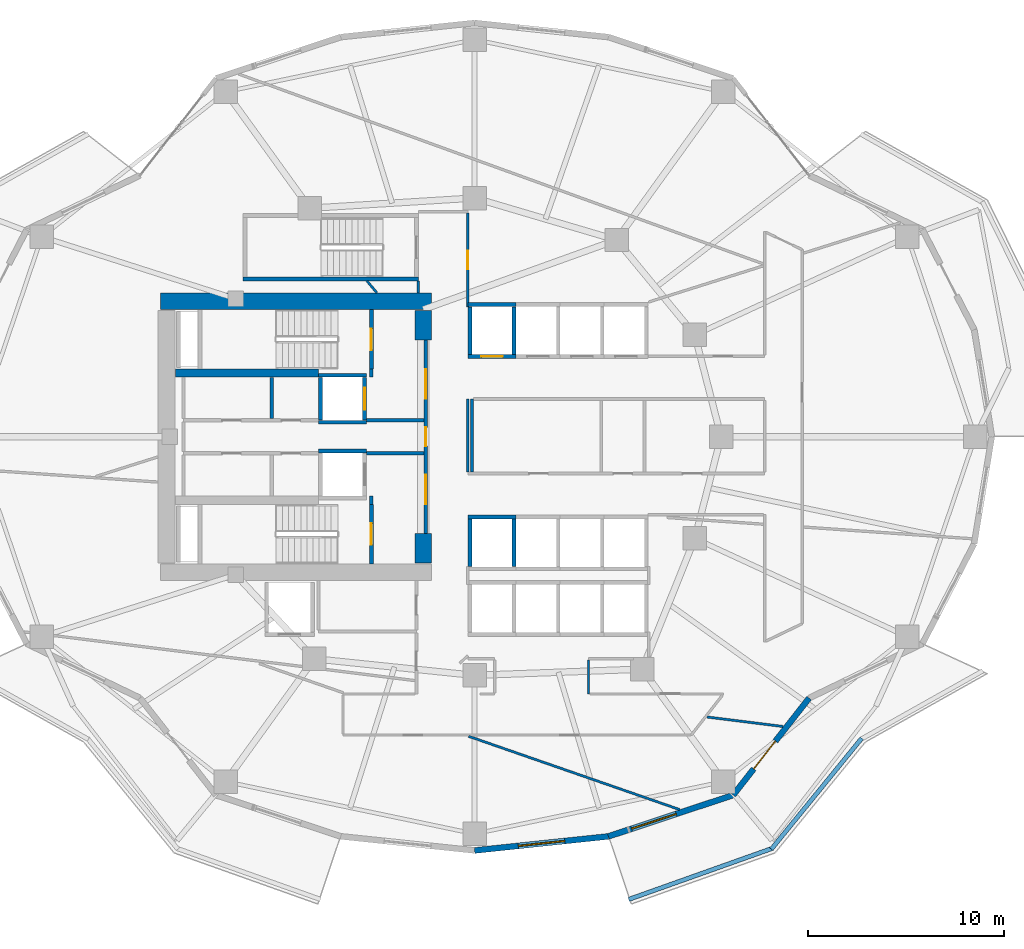
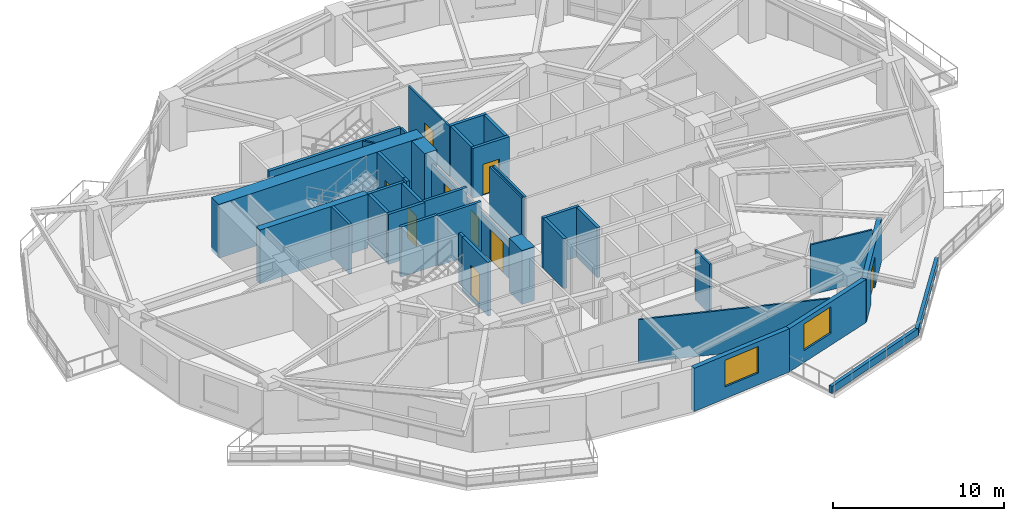
# One storey, part 6 of 12: 38 walls, 9 doors, 2 windows, 11 openings.
"""IFC4 building model written with IfcOpenShell, lengths in metres."""

import ifcopenshell
import ifcopenshell.guid

model = None  # the IFC model being written
_history = None  # IfcOwnerHistory: only IFC2X3 demands one
_inside = {}  # id of a spatial element -> (the spatial element, [elements in it])
_under = {}  # id of a project, library or spatial element -> (it, [spatial elements below it])
_declared = {}  # id of a project -> (the project, [libraries it declares])
_typed = {}  # id of a type object -> (the type object, [elements of that type])
_made_of = {}  # id of a material, layer set ... -> (it, [elements and type objects made of it])


def new_model(schema):
    """Start an empty IFC model of exactly this schema.

    Asked for "IFC4X3", IfcOpenShell would pick the latest addendum, in which some entities
    have other attributes; the version numbers below select the first issue.
    IFC2X3 requires an IfcOwnerHistory on every rooted entity: one is made here for all.
    """
    global model, _history
    if schema == "IFC4X3":
        model = ifcopenshell.file(schema_version=(4, 3, 0, 0))
    else:
        model = ifcopenshell.file(schema=schema)
    _inside.clear()
    _under.clear()
    _declared.clear()
    _typed.clear()
    _made_of.clear()
    _history = None
    if model.schema == "IFC2X3":
        org = make("IfcOrganization", Name="unknown")
        user = make(
            "IfcPersonAndOrganization",
            ThePerson=make("IfcPerson", FamilyName="unknown"),
            TheOrganization=org,
        )
        app = make(
            "IfcApplication",
            ApplicationDeveloper=org,
            Version="unknown",
            ApplicationFullName="unknown",
            ApplicationIdentifier="unknown",
        )
        _history = make(
            "IfcOwnerHistory",
            OwningUser=user,
            OwningApplication=app,
            ChangeAction="ADDED",
            CreationDate=0,
        )
    return model


def make(cls, **values):
    """One entity of the class cls with the attributes given. An attribute that is None is left unset."""
    return model.create_entity(
        cls, **{name: value for name, value in values.items() if value is not None}
    )


def rooted(cls, **values):
    """An entity with a GlobalId (a new one), such as an element, a storey or a relation."""
    return make(cls, GlobalId=ifcopenshell.guid.new(), OwnerHistory=_history, **values)


def si_unit(unit_type, name, prefix=None):
    """IfcSIUnit, for example si_unit("LENGTHUNIT", "METRE", prefix="MILLI")."""
    return make("IfcSIUnit", UnitType=unit_type, Prefix=prefix, Name=name)


def assignment(units):
    """IfcUnitAssignment: the units of a project."""
    return None if units is None else make("IfcUnitAssignment", Units=units)


def point(xyz):
    """IfcCartesianPoint."""
    return None if xyz is None else make("IfcCartesianPoint", Coordinates=xyz)


def direction(xyz):
    """IfcDirection."""
    return None if xyz is None else make("IfcDirection", DirectionRatios=xyz)


def frame(location, z_axis=None, x_axis=None):
    """IfcAxis2Placement3D, a coordinate frame: its origin and axes. An axis left out is left unset."""
    return make(
        "IfcAxis2Placement3D",
        Location=point(location),
        Axis=direction(z_axis),
        RefDirection=direction(x_axis),
    )


def frame_2d(location, x_axis=None):
    """IfcAxis2Placement2D, a coordinate frame in the plane: its origin and x axis."""
    return make(
        "IfcAxis2Placement2D", Location=point(location), RefDirection=direction(x_axis)
    )


def origin():
    """The frame at (0, 0, 0) with its axes left unset."""
    return frame((0.0, 0.0, 0.0))


def place(relative_to, where):
    """IfcLocalPlacement: puts the frame where relative to a parent placement (None: the world)."""
    return make(
        "IfcLocalPlacement", PlacementRelTo=relative_to, RelativePlacement=where
    )


def context(
    kind, dimensions, precision=None, world=None, true_north=None, identifier=None
):
    """IfcGeometricRepresentationContext, for example the 3D "Model" context."""
    return make(
        "IfcGeometricRepresentationContext",
        ContextIdentifier=identifier,
        ContextType=kind,
        CoordinateSpaceDimension=dimensions,
        Precision=precision,
        WorldCoordinateSystem=world,
        TrueNorth=true_north,
    )


def subcontext(parent, identifier, kind, view, scale=None):
    """IfcGeometricRepresentationSubContext, for example "Body" below "Model"."""
    return make(
        "IfcGeometricRepresentationSubContext",
        ContextIdentifier=identifier,
        ContextType=kind,
        ParentContext=parent,
        TargetScale=scale,
        TargetView=view,
    )


def project(units=None, contexts=None):
    """IfcProject with its units and contexts."""
    return rooted(
        "IfcProject",
        Name="project",
        RepresentationContexts=contexts,
        UnitsInContext=assignment(units),
    )


def spatial(cls, under=None, at=None, **own):
    """A site, building, storey or space (cls), placed at a placement, below another one or the project."""
    s = rooted(cls, ObjectPlacement=at, **own)
    if under is not None:
        _under.setdefault(under.id(), (under, []))[1].append(s)
    return s


def profile(cls, at=None, kind="AREA", **sizes):
    """A parametric profile (cls). Its sizes go by their IFC names, for example OverallWidth=200.0."""
    return make(cls, ProfileType=kind, Position=at, **sizes)


def rectangle(**sizes):
    """IfcRectangleProfileDef."""
    return profile("IfcRectangleProfileDef", **sizes)


def extrude(swept, where, along, depth):
    """IfcExtrudedAreaSolid: the profile swept, set in the frame where, extruded along a direction by depth."""
    return make(
        "IfcExtrudedAreaSolid",
        SweptArea=swept,
        Position=where,
        ExtrudedDirection=direction(along),
        Depth=depth,
    )


def shape(context_of_items, identifier, shape_type, items):
    """IfcShapeRepresentation: the items that make up one representation, for example the "Body"."""
    return make(
        "IfcShapeRepresentation",
        ContextOfItems=context_of_items,
        RepresentationIdentifier=identifier,
        RepresentationType=shape_type,
        Items=items,
    )


def material(Name=None, Category=None):
    """IfcMaterial."""
    return make("IfcMaterial", Name=Name, Category=Category)


def layer(
    of_material, thickness, ventilated=None, Name=None, Category=None, Priority=None
):
    """IfcMaterialLayer: one layer of a wall or slab, of a material (None: an air gap)."""
    return make(
        "IfcMaterialLayer",
        Material=of_material,
        LayerThickness=thickness,
        IsVentilated=ventilated,
        Name=Name,
        Category=Category,
        Priority=Priority,
    )


def layer_set(layers, Name=None):
    """IfcMaterialLayerSet."""
    return make("IfcMaterialLayerSet", MaterialLayers=layers, LayerSetName=Name)


def made_of(thing, what):
    """Note that an element or type object is made of a material, layer set ...; save() writes the relation."""
    if what is not None:
        _made_of.setdefault(what.id(), (what, []))[1].append(thing)
    return thing


def type_object(cls, material=None, **own):
    """A type object (cls), such as IfcWallType, which elements share."""
    return made_of(rooted(cls, **own), material)


def element(
    cls,
    number,
    at=None,
    inside=None,
    cuts=None,
    type_object=None,
    material=None,
    context=None,
    identifier="Body",
    shape_type=None,
    held_by="IfcProductDefinitionShape",
    body=None,
    shapes=None,
    **own,
):
    """One element of the class cls, such as IfcWall. Its Tag is "e" and its number.

    at: its placement. inside: the storey or other place that contains it. cuts: it is an
    opening in that element (IfcRelVoidsElement). A single representation is given by context,
    identifier, shape_type and body (its items); several are given by shapes. held_by: the class
    of the entity that holds the representations. save() writes the other relations.
    """
    e = rooted(cls, Tag="e%d" % number, ObjectPlacement=at, **own)
    if body is not None:
        shapes = [shape(context, identifier, shape_type, body)]
    if shapes is not None:
        e.Representation = make(held_by, Representations=shapes)
    if inside is not None:
        _inside.setdefault(inside.id(), (inside, []))[1].append(e)
    if cuts is not None:
        rooted(
            "IfcRelVoidsElement", RelatingBuildingElement=cuts, RelatedOpeningElement=e
        )
    if type_object is not None:
        _typed.setdefault(type_object.id(), (type_object, []))[1].append(e)
    return made_of(e, material)


def fill(opening, filler):
    """IfcRelFillsElement: the door or window that sits in an opening."""
    return rooted(
        "IfcRelFillsElement",
        RelatingOpeningElement=opening,
        RelatedBuildingElement=filler,
    )


def aggregate(whole, parts):
    """IfcRelAggregates: a whole, such as a stair, and the parts it consists of."""
    return rooted("IfcRelAggregates", RelatingObject=whole, RelatedObjects=parts)


def save(model, path):
    """Write the relations noted so far, then the file.

    IfcRelAggregates (storeys below a building ...), IfcRelContainedInSpatialStructure (elements
    in a storey), IfcRelDefinesByType, IfcRelAssociatesMaterial and IfcRelDeclares: one each for
    every whole, place, type object, material and project.
    """
    for whole, parts in _under.values():
        aggregate(whole, parts)
    for where, things in _inside.values():
        rooted(
            "IfcRelContainedInSpatialStructure",
            RelatedElements=things,
            RelatingStructure=where,
        )
    for kind, things in _typed.values():
        rooted("IfcRelDefinesByType", RelatedObjects=things, RelatingType=kind)
    for what, things in _made_of.values():
        rooted("IfcRelAssociatesMaterial", RelatedObjects=things, RelatingMaterial=what)
    for by, libraries in _declared.values():
        rooted("IfcRelDeclares", RelatingContext=by, RelatedDefinitions=libraries)
    model.write(path)


model = new_model("IFC4")

# Units and contexts
model_context = context("Model", 3, precision=1e-05, world=origin(), true_north=direction((0.0, 1.0)))
body_context = subcontext(model_context, "Body", "Model", "MODEL_VIEW")
ifc_project = project(units=[si_unit("LENGTHUNIT", "METRE"), si_unit("AREAUNIT", "SQUARE_METRE"), si_unit("VOLUMEUNIT", "CUBIC_METRE"), si_unit("PLANEANGLEUNIT", "RADIAN"), si_unit("MASSUNIT", "GRAM", prefix="KILO")], contexts=[model_context])

# Site, building, storey
site_placement = place(None, origin())
site = spatial("IfcSite", under=ifc_project, at=site_placement, CompositionType="ELEMENT")
building_placement = place(site_placement, origin())
building = spatial("IfcBuilding", under=site, at=building_placement, Name="Kolvaren Gate Tower and Convention Centre", CompositionType="ELEMENT")
storey_placement = place(building_placement, frame((0.0, 0.0, 84.25)))
storey = spatial("IfcBuildingStorey", under=building, at=storey_placement, Name="L20", CompositionType="ELEMENT", Elevation=84.25)

# Walls
ifc_material_1 = material(Name="Autoclaved Aerated Masonry Blockwork Class 4 (4.0 MPa)", Category="masonry")
ifc_layer_1 = layer(ifc_material_1, 0.179931640625)
ifc_layer_set_1 = layer_set([ifc_layer_1], Name="Autoclaved Aerated Masonry Blockwork Class 4 (4.0 MPa)")
wall_type_1 = type_object("IfcWallType", Name="ARCH-WL-COMP-180", PredefinedType="SOLIDWALL", material=ifc_layer_set_1)
for number, where, z_axis, x_axis, name in (
    (1, (24.85009765625, 23.5400390625, 0.0), (0.0, 0.0, 1.0), (0.0, 1.0, 0.0), "Interior Partition WL-L20-INT-001"),
    (2, (24.85009765625, 30.0400390625, 0.0), (0.0, 0.0, 1.0), (0.0, 1.0, 0.0), "Interior Partition WL-L20-INT-002"),
):
    element("IfcWall", number, at=place(storey_placement, frame(where, z_axis=z_axis, x_axis=x_axis)), inside=storey, type_object=wall_type_1, Name=name, PredefinedType="SOLIDWALL", context=body_context, shape_type="SweptSolid", body=[
        extrude(rectangle(XDim=0.419921875, YDim=0.179931640625, at=frame_2d((0.2099609375, 0.0))), origin(), (0.0, 0.0, 1.0), 3.570068359375),
    ])

# Wall, openings, doors
wall_1_placement = place(storey_placement, frame((27.6201171875, 22.050048828125, 0.0), z_axis=(0.0, 0.0, 1.0), x_axis=(0.0, 1.0, 0.0)))
wall_1 = element("IfcWall", 3, at=wall_1_placement, inside=storey, type_object=wall_type_1, Name="Interior Partition WL-L20-INT-003", PredefinedType="SOLIDWALL", context=body_context, shape_type="SweptSolid", body=[
    extrude(rectangle(XDim=9.89990234375, YDim=0.179931640625, at=frame_2d((4.949951171875, 0.0))), origin(), (0.0, 0.0, 1.0), 2.662109375),
])
opening_1_placement = place(wall_1_placement, frame((4.47509765625, 0.0, 0.0)))
opening_1 = element("IfcOpeningElement", 4, at=opening_1_placement, cuts=wall_1, Name="Opening DR-01", PredefinedType="OPENING", context=body_context, shape_type="SweptSolid", body=[
    extrude(rectangle(XDim=0.949951171875, YDim=2.10009765625, at=frame_2d((0.47509765625, 1.050048828125))), frame((0.0, 0.099853515625, 0.0), z_axis=(0.0, -1.0, 0.0), x_axis=(1.0, 0.0, 0.0)), (0.0, 0.0, 1.0), 0.199951171875),
])
opening_2_placement = place(wall_1_placement, frame((6.889892578125, 0.0, 0.0)))
opening_2 = element("IfcOpeningElement", 5, at=opening_2_placement, cuts=wall_1, Name="Opening DL-01", PredefinedType="OPENING", context=body_context, shape_type="SweptSolid", body=[
    extrude(rectangle(XDim=1.5, YDim=2.199951171875, at=frame_2d((0.75, 1.10009765625))), frame((0.0, 0.099853515625, 0.0), z_axis=(0.0, -1.0, 0.0), x_axis=(1.0, 0.0, 0.0)), (0.0, 0.0, 1.0), 0.199951171875),
])
opening_3_placement = place(wall_1_placement, frame((1.510009765625, 0.0, 0.0)))
opening_3 = element("IfcOpeningElement", 6, at=opening_3_placement, cuts=wall_1, Name="Opening DL-01", PredefinedType="OPENING", context=body_context, shape_type="SweptSolid", body=[
    extrude(rectangle(XDim=1.5, YDim=2.199951171875, at=frame_2d((0.75, 1.10009765625))), frame((0.0, 0.099853515625, 0.0), z_axis=(0.0, -1.0, 0.0), x_axis=(1.0, 0.0, 0.0)), (0.0, 0.0, 1.0), 0.199951171875),
])
ifc_material_2 = material(Name="Painted Architectural Steelwork ASTM A500 Grade C 345 MPa", Category="steel")
door_type_1 = type_object("IfcDoorType", Name="ARCH-DR-LOBBY-1500", OperationType="DOUBLE_DOOR_SINGLE_SWING", PredefinedType="DOOR", material=ifc_material_2)
door_1_placement = place(opening_2_placement, origin())
door_1 = element("IfcDoor", 7, at=door_1_placement, inside=storey, type_object=door_type_1, Name="North Firefighting Stair and Lift Lobby Door", OperationType="DOUBLE_DOOR_SINGLE_SWING", OverallHeight=2.199951171875, OverallWidth=1.5, PredefinedType="DOOR", context=body_context, shape_type="SweptSolid", body=[
    extrude(rectangle(XDim=1.5, YDim=2.199951171875, at=frame_2d((0.75, 1.10009765625))), frame((0.0, 0.02490234375, 0.0), z_axis=(0.0, -1.0, 0.0), x_axis=(1.0, 0.0, 0.0)), (0.0, 0.0, 1.0), 0.050048828125),
])
fill(opening_2, door_1)
door_2_placement = place(opening_3_placement, origin())
door_2 = element("IfcDoor", 8, at=door_2_placement, inside=storey, type_object=door_type_1, Name="South Firefighting Stair and Lift Lobby Door", OperationType="DOUBLE_DOOR_SINGLE_SWING", OverallHeight=2.199951171875, OverallWidth=1.5, PredefinedType="DOOR", context=body_context, shape_type="SweptSolid", body=[
    extrude(rectangle(XDim=1.5, YDim=2.199951171875, at=frame_2d((0.75, 1.10009765625))), frame((0.0, 0.02490234375, 0.0), z_axis=(0.0, -1.0, 0.0), x_axis=(1.0, 0.0, 0.0)), (0.0, 0.0, 1.0), 0.050048828125),
])
fill(opening_3, door_2)
door_type_2 = type_object("IfcDoorType", Name="ARCH-DR-RISER-950", OperationType="SINGLE_SWING_RIGHT", PredefinedType="DOOR", material=ifc_material_2)
door_3_placement = place(opening_1_placement, origin())
door_3 = element("IfcDoor", 9, at=door_3_placement, inside=storey, type_object=door_type_2, Name="Central MEP Service Corridor Door", OperationType="SINGLE_SWING_RIGHT", OverallHeight=2.10009765625, OverallWidth=0.949951171875, PredefinedType="DOOR", context=body_context, shape_type="SweptSolid", body=[
    extrude(rectangle(XDim=0.949951171875, YDim=2.10009765625, at=frame_2d((0.47509765625, 1.050048828125))), frame((0.0, 0.02490234375, 0.0), z_axis=(0.0, -1.0, 0.0), x_axis=(1.0, 0.0, 0.0)), (0.0, 0.0, 1.0), 0.050048828125),
])
fill(opening_1, door_3)

# Walls
for number, where, z_axis, x_axis, name in (
    (10, (24.60009765625, 27.840087890625, 0.0), (0.0, 0.0, 1.0), (1.0, 0.0, 0.0), "Interior Partition WL-L20-INT-004 (2)"),
    (11, (24.60009765625, 26.159912109375, 0.0), (0.0, 0.0, 1.0), (1.0, 0.0, 0.0), "Interior Partition WL-L20-INT-005 (2)"),
):
    element("IfcWall", number, at=place(storey_placement, frame(where, z_axis=z_axis, x_axis=x_axis)), inside=storey, type_object=wall_type_1, Name=name, PredefinedType="SOLIDWALL", context=body_context, shape_type="SweptSolid", body=[
        extrude(rectangle(XDim=2.927978515625, YDim=0.179931640625, at=frame_2d((1.4638671875, 0.0))), origin(), (0.0, 0.0, 1.0), 3.570068359375),
    ])
wall_2_placement = place(storey_placement, frame((19.75, 27.931884765625, 0.0), z_axis=(0.0, 0.0, 1.0), x_axis=(0.0, 1.0, 0.0)))
element("IfcWall", 12, at=wall_2_placement, inside=storey, type_object=wall_type_1, Name="Interior Partition WL-L20-INT-008", PredefinedType="SOLIDWALL", context=body_context, shape_type="SweptSolid", body=[
    extrude(rectangle(XDim=2.106201171875, YDim=0.179931640625, at=frame_2d((1.05322265625, 0.0))), origin(), (0.0, 0.0, 1.0), 3.570068359375),
])
ifc_material_3 = material(Name="Fire-Rated Acoustic Gypsum Stud Partition", Category="gypsum")
ifc_layer_2 = layer(ifc_material_3, 0.1201171875)
ifc_layer_set_2 = layer_set([ifc_layer_2], Name="Fire-Rated Acoustic Gypsum Stud Partition")
wall_type_2 = type_object("IfcWallType", Name="ARCH-WL-PART-120", PredefinedType="PARTITIONING", material=ifc_layer_set_2)
wall_3_placement = place(storey_placement, frame((35.949951171875, 13.85009765625, 0.0), z_axis=(0.0, 0.0, 1.0), x_axis=(0.0, 1.0, 0.0)))
element("IfcWall", 13, at=wall_3_placement, inside=storey, type_object=wall_type_2, Name="Interior Partition WL-L20-INT-019", PredefinedType="PARTITIONING", context=body_context, shape_type="SweptSolid", body=[
    extrude(rectangle(XDim=1.73779296875, YDim=0.1201171875, at=frame_2d((0.868896484375, 0.0))), origin(), (0.0, 0.0, 1.0), 3.570068359375),
])
wall_4_placement = place(storey_placement, frame((27.25, 34.35205078125, 0.0), z_axis=(0.0, 0.0, 1.0), x_axis=(0.0, 1.0, 0.0)))
element("IfcWall", 14, at=wall_4_placement, inside=storey, type_object=wall_type_2, Name="Interior Partition WL-L20-INT-026", PredefinedType="PARTITIONING", context=body_context, shape_type="SweptSolid", body=[
    extrude(rectangle(XDim=0.60595703125, YDim=0.1201171875, at=frame_2d((0.302978515625, 0.0))), origin(), (0.0, 0.0, 1.0), 3.570068359375),
])
wall_5_placement = place(storey_placement, frame((29.780029296875, 25.197021484375, 0.0), z_axis=(0.0, 0.0, 1.0), x_axis=(0.0, 1.0, 0.0)))
element("IfcWall", 15, at=wall_5_placement, inside=storey, type_object=wall_type_2, Name="Interior Partition WL-L20-INT-029", PredefinedType="PARTITIONING", context=body_context, shape_type="SweptSolid", body=[
    extrude(rectangle(XDim=3.722900390625, YDim=0.1201171875, at=frame_2d((1.861328125, 0.0))), origin(), (0.0, 0.0, 1.0), 3.570068359375),
])

# Wall, opening, door
wall_6_placement = place(storey_placement, frame((29.780029296875, 33.639892578125, 0.0), z_axis=(0.0, 0.0, 1.0), x_axis=(0.0, 1.0, 0.0)))
wall_6 = element("IfcWall", 16, at=wall_6_placement, inside=storey, type_object=wall_type_2, Name="Interior Partition WL-L20-INT-030", PredefinedType="PARTITIONING", context=body_context, shape_type="SweptSolid", body=[
    extrude(rectangle(XDim=4.798095703125, YDim=0.1201171875, at=frame_2d((2.39892578125, 0.0))), origin(), (0.0, 0.0, 1.0), 3.570068359375),
])
opening_4_placement = place(wall_6_placement, frame((1.924072265625, 0.0, 0.0)))
opening_4 = element("IfcOpeningElement", 17, at=opening_4_placement, cuts=wall_6, Name="Opening DR-01", PredefinedType="OPENING", context=body_context, shape_type="SweptSolid", body=[
    extrude(rectangle(XDim=0.949951171875, YDim=2.10009765625, at=frame_2d((0.47509765625, 1.050048828125))), frame((0.0, 0.070068359375, 0.0), z_axis=(0.0, -1.0, 0.0), x_axis=(1.0, 0.0, 0.0)), (0.0, 0.0, 1.0), 0.14013671875),
])
door_4_placement = place(opening_4_placement, origin())
door_4 = element("IfcDoor", 18, at=door_4_placement, inside=storey, type_object=door_type_2, Name="Open-Plan Office Suite Door", OperationType="SINGLE_SWING_RIGHT", OverallHeight=2.10009765625, OverallWidth=0.949951171875, PredefinedType="DOOR", context=body_context, shape_type="SweptSolid", body=[
    extrude(rectangle(XDim=0.949951171875, YDim=2.10009765625, at=frame_2d((0.47509765625, 1.050048828125))), frame((0.0, 0.02490234375, 0.0), z_axis=(0.0, -1.0, 0.0), x_axis=(1.0, 0.0, 0.0)), (0.0, 0.0, 1.0), 0.050048828125),
])
fill(opening_4, door_4)

# Walls
wall_7_placement = place(storey_placement, frame((41.999755859375, 12.673583984375, 0.0), z_axis=(0.0, 0.0, 1.0), x_axis=(0.992316110302, -0.123728481908, 0.0)))
element("IfcWall", 19, at=wall_7_placement, inside=storey, type_object=wall_type_2, Name="Interior Partition WL-L20-INT-046", PredefinedType="PARTITIONING", context=body_context, shape_type="SweptSolid", body=[
    extrude(rectangle(XDim=3.9248046875, YDim=0.1201171875, at=frame_2d((1.96240234375, 0.0))), origin(), (0.0, 0.0, 1.0), 3.570068359375),
])
wall_8_placement = place(storey_placement, frame((29.818115234375, 11.68798828125, 0.0), z_axis=(0.0, 0.0, 1.0), x_axis=(0.944668147769, -0.328027575961, 0.0)))
element("IfcWall", 20, at=wall_8_placement, inside=storey, type_object=wall_type_2, Name="Interior Partition WL-L20-INT-048", PredefinedType="PARTITIONING", context=body_context, shape_type="SweptSolid", body=[
    extrude(rectangle(XDim=11.42822265625, YDim=0.1201171875, at=frame_2d((5.714111328125, 0.0))), origin(), (0.0, 0.0, 1.0), 3.093017578125),
])
wall_9_placement = place(storey_placement, frame((24.625732421875, 34.9580078125, 0.0), z_axis=(0.0, 0.0, 1.0), x_axis=(0.643032873298, -0.765838575588, 0.0)))
element("IfcWall", 21, at=wall_9_placement, inside=storey, type_object=wall_type_2, Name="Interior Partition WL-L20-INT-053", PredefinedType="PARTITIONING", context=body_context, shape_type="SweptSolid", body=[
    extrude(rectangle(XDim=0.791259765625, YDim=0.1201171875, at=frame_2d((0.3955078125, 0.0))), origin(), (0.0, 0.0, 1.0), 3.570068359375),
])
ifc_material_4 = material(Name="Piedmont Cream Honed Limestone Cladding", Category="masonry")
ifc_layer_3 = layer(ifc_material_4, 0.219970703125)
ifc_layer_set_3 = layer_set([ifc_layer_3], Name="Piedmont Cream Honed Limestone Cladding")
wall_type_3 = type_object("IfcWallType", Name="ARCH-WL-PLANTER-220", PredefinedType="PARAPET", material=ifc_layer_set_3)
wall_10_placement = place(storey_placement, frame((38.001220703125, 3.348876953125, 0.0), z_axis=(0.0, 0.0, 1.0), x_axis=(0.942203722205, 0.335040513764, 0.0)))
element("IfcWall", 22, at=wall_10_placement, inside=storey, type_object=wall_type_3, Name="Vertical-Forest Balcony Stone Planter Kerb PK-L20-4.1", PredefinedType="PARAPET", context=body_context, shape_type="SweptSolid", body=[
    extrude(rectangle(XDim=7.80712890625, YDim=0.219970703125, at=frame_2d((3.903564453125, 0.0))), origin(), (0.0, 0.0, 1.0), 0.52001953125),
])
wall_11_placement = place(storey_placement, frame((45.2919921875, 5.91796875, 0.0), z_axis=(0.0, 0.0, 1.0), x_axis=(0.631819273026, 0.775115737315, 0.0)))
element("IfcWall", 23, at=wall_11_placement, inside=storey, type_object=wall_type_3, Name="Vertical-Forest Balcony Stone Planter Kerb PK-L20-4.2", PredefinedType="PARAPET", context=body_context, shape_type="SweptSolid", body=[
    extrude(rectangle(XDim=7.31591796875, YDim=0.219970703125, at=frame_2d((3.657958984375, 0.0))), origin(), (0.0, 0.0, 1.0), 0.52001953125),
])
ifc_layer_4 = layer(ifc_material_1, 0.199951171875)
ifc_layer_set_4 = layer_set([ifc_layer_4], Name="Autoclaved Aerated Masonry Blockwork Class 4 (4.0 MPa)")
wall_type_4 = type_object("IfcWallType", Name="ARCH-WL-SHAFT-200", PredefinedType="SOLIDWALL", material=ifc_layer_set_4)
for number, where, z_axis, x_axis, name in (
    (24, (22.14990234375, 30.139892578125, 0.0), (0.0, 0.0, 1.0), (1.0, 0.0, 0.0), "Elevator FF-01 L20 Fire Shaft Wall N"),
    (25, (22.14990234375, 27.739990234375, 0.0), (0.0, 0.0, 1.0), (1.0, 0.0, 0.0), "Elevator FF-01 L20 Fire Shaft Wall S"),
):
    element("IfcWall", number, at=place(storey_placement, frame(where, z_axis=z_axis, x_axis=x_axis)), inside=storey, type_object=wall_type_4, Name=name, PredefinedType="SOLIDWALL", context=body_context, shape_type="SweptSolid", body=[
        extrude(rectangle(XDim=2.4501953125, YDim=0.199951171875, at=frame_2d((1.22509765625, 0.0))), origin(), (0.0, 0.0, 1.0), 3.570068359375),
    ])
wall_12_placement = place(storey_placement, frame((22.25, 27.85009765625, 0.0), z_axis=(0.0, 0.0, 1.0), x_axis=(0.0, 1.0, 0.0)))
element("IfcWall", 26, at=wall_12_placement, inside=storey, type_object=wall_type_4, Name="Elevator FF-01 L20 Fire Shaft Wall W", PredefinedType="SOLIDWALL", context=body_context, shape_type="SweptSolid", body=[
    extrude(rectangle(XDim=2.179931640625, YDim=0.199951171875, at=frame_2d((1.08984375, 0.0))), origin(), (0.0, 0.0, 1.0), 3.570068359375),
])

# Wall, opening, door
wall_13_placement = place(storey_placement, frame((24.5, 27.85009765625, 0.0), z_axis=(0.0, 0.0, 1.0), x_axis=(0.0, 1.0, 0.0)))
wall_13 = element("IfcWall", 27, at=wall_13_placement, inside=storey, type_object=wall_type_4, Name="Elevator FF-01 L20 Fire Shaft Wall E", PredefinedType="SOLIDWALL", context=body_context, shape_type="SweptSolid", body=[
    extrude(rectangle(XDim=2.179931640625, YDim=0.199951171875, at=frame_2d((1.08984375, 0.0))), origin(), (0.0, 0.0, 1.0), 3.570068359375),
])
opening_5_placement = place(wall_13_placement, frame((0.5400390625, 0.0, 0.0)))
opening_5 = element("IfcOpeningElement", 28, at=opening_5_placement, cuts=wall_13, Name="Opening LD", PredefinedType="OPENING", context=body_context, shape_type="SweptSolid", body=[
    extrude(rectangle(XDim=1.10009765625, YDim=2.199951171875, at=frame_2d((0.550048828125, 1.10009765625))), frame((0.0, 0.10986328125, 0.0), z_axis=(0.0, -1.0, 0.0), x_axis=(1.0, 0.0, 0.0)), (0.0, 0.0, 1.0), 0.219970703125),
])
ifc_material_5 = material(Name="Brushed Stainless Steel Grade 316L", Category="steel")
door_type_3 = type_object("IfcDoorType", Name="ARCH-DR-LIFT-1100", OperationType="SLIDING_TO_LEFT", PredefinedType="DOOR", material=ifc_material_5)
door_5_placement = place(opening_5_placement, origin())
door_5 = element("IfcDoor", 29, at=door_5_placement, inside=storey, type_object=door_type_3, Name="Elevator FF-01 L20 Sliding Landing Door", OperationType="SLIDING_TO_LEFT", OverallHeight=2.199951171875, OverallWidth=1.10009765625, PredefinedType="DOOR", context=body_context, shape_type="SweptSolid", body=[
    extrude(rectangle(XDim=1.10009765625, YDim=2.199951171875, at=frame_2d((0.550048828125, 1.10009765625))), frame((0.0, 0.02490234375, 0.0), z_axis=(0.0, -1.0, 0.0), x_axis=(1.0, 0.0, 0.0)), (0.0, 0.0, 1.0), 0.050048828125),
])
fill(opening_5, door_5)

# Walls
wall_14_placement = place(storey_placement, frame((22.14990234375, 26.260009765625, 0.0), z_axis=(0.0, 0.0, 1.0), x_axis=(1.0, 0.0, 0.0)))
element("IfcWall", 30, at=wall_14_placement, inside=storey, type_object=wall_type_4, Name="Elevator FF-02 L20 Fire Shaft Wall N", PredefinedType="SOLIDWALL", context=body_context, shape_type="SweptSolid", body=[
    extrude(rectangle(XDim=2.4501953125, YDim=0.199951171875, at=frame_2d((1.22509765625, 0.0))), origin(), (0.0, 0.0, 1.0), 3.570068359375),
])
wall_15_placement = place(storey_placement, frame((29.800048828125, 33.75, 0.0), z_axis=(0.0, 0.0, 1.0), x_axis=(1.0, 0.0, 0.0)))
element("IfcWall", 31, at=wall_15_placement, inside=storey, type_object=wall_type_4, Name="Elevator PL-01 L20 Fire Shaft Wall N", PredefinedType="SOLIDWALL", context=body_context, shape_type="SweptSolid", body=[
    extrude(rectangle(XDim=2.449951171875, YDim=0.199951171875, at=frame_2d((1.22509765625, 0.0))), origin(), (0.0, 0.0, 1.0), 3.570068359375),
])

# Wall, opening, door
wall_16_placement = place(storey_placement, frame((29.800048828125, 31.10009765625, 0.0), z_axis=(0.0, 0.0, 1.0), x_axis=(1.0, 0.0, 0.0)))
wall_16 = element("IfcWall", 32, at=wall_16_placement, inside=storey, type_object=wall_type_4, Name="Elevator PL-01 L20 Fire Shaft Wall S", PredefinedType="SOLIDWALL", context=body_context, shape_type="SweptSolid", body=[
    extrude(rectangle(XDim=2.449951171875, YDim=0.199951171875, at=frame_2d((1.22509765625, 0.0))), origin(), (0.0, 0.0, 1.0), 3.570068359375),
])
opening_6_placement = place(wall_16_placement, frame((0.675048828125, 0.0, 0.0)))
opening_6 = element("IfcOpeningElement", 33, at=opening_6_placement, cuts=wall_16, Name="Opening LD", PredefinedType="OPENING", context=body_context, shape_type="SweptSolid", body=[
    extrude(rectangle(XDim=1.10009765625, YDim=2.199951171875, at=frame_2d((0.550048828125, 1.10009765625))), frame((0.0, 0.10986328125, 0.0), z_axis=(0.0, -1.0, 0.0), x_axis=(1.0, 0.0, 0.0)), (0.0, 0.0, 1.0), 0.219970703125),
])
door_6_placement = place(opening_6_placement, origin())
door_6 = element("IfcDoor", 34, at=door_6_placement, inside=storey, type_object=door_type_3, Name="Elevator PL-01 L20 Sliding Landing Door", OperationType="SLIDING_TO_LEFT", OverallHeight=2.199951171875, OverallWidth=1.10009765625, PredefinedType="DOOR", context=body_context, shape_type="SweptSolid", body=[
    extrude(rectangle(XDim=1.10009765625, YDim=2.199951171875, at=frame_2d((0.550048828125, 1.10009765625))), frame((0.0, 0.02490234375, 0.0), z_axis=(0.0, -1.0, 0.0), x_axis=(1.0, 0.0, 0.0)), (0.0, 0.0, 1.0), 0.050048828125),
])
fill(opening_6, door_6)

# Walls
for number, where, z_axis, x_axis, name in (
    (35, (29.89990234375, 31.2099609375, 0.0), (0.0, 0.0, 1.0), (0.0, 1.0, 0.0), "Elevator PL-01 L20 Fire Shaft Wall W"),
    (36, (32.14990234375, 31.2099609375, 0.0), (0.0, 0.0, 1.0), (0.0, 1.0, 0.0), "Elevator PL-01 L20 Fire Shaft Wall E"),
):
    element("IfcWall", number, at=place(storey_placement, frame(where, z_axis=z_axis, x_axis=x_axis)), inside=storey, type_object=wall_type_4, Name=name, PredefinedType="SOLIDWALL", context=body_context, shape_type="SweptSolid", body=[
        extrude(rectangle(XDim=2.429931640625, YDim=0.199951171875, at=frame_2d((1.21484375, 0.0))), origin(), (0.0, 0.0, 1.0), 3.570068359375),
    ])
wall_17_placement = place(storey_placement, frame((29.800048828125, 22.89990234375, 0.0), z_axis=(0.0, 0.0, 1.0), x_axis=(1.0, 0.0, 0.0)))
element("IfcWall", 37, at=wall_17_placement, inside=storey, type_object=wall_type_4, Name="Elevator PL-09 L20 Fire Shaft Wall N", PredefinedType="SOLIDWALL", context=body_context, shape_type="SweptSolid", body=[
    extrude(rectangle(XDim=2.449951171875, YDim=0.199951171875, at=frame_2d((1.22509765625, 0.0))), origin(), (0.0, 0.0, 1.0), 3.570068359375),
])
for number, where, z_axis, x_axis, name in (
    (38, (29.89990234375, 20.360107421875, 0.0), (0.0, 0.0, 1.0), (0.0, 1.0, 0.0), "Elevator PL-09 L20 Fire Shaft Wall W"),
    (39, (32.14990234375, 20.360107421875, 0.0), (0.0, 0.0, 1.0), (0.0, 1.0, 0.0), "Elevator PL-09 L20 Fire Shaft Wall E"),
):
    element("IfcWall", number, at=place(storey_placement, frame(where, z_axis=z_axis, x_axis=x_axis)), inside=storey, type_object=wall_type_4, Name=name, PredefinedType="SOLIDWALL", context=body_context, shape_type="SweptSolid", body=[
        extrude(rectangle(XDim=2.429931640625, YDim=0.199951171875, at=frame_2d((1.21484375, 0.0))), origin(), (0.0, 0.0, 1.0), 3.570068359375),
    ])

# Wall, opening, window
ifc_layer_5 = layer(ifc_material_4, 0.300048828125)
ifc_layer_set_5 = layer_set([ifc_layer_5], Name="Piedmont Cream Honed Limestone Cladding")
wall_type_5 = type_object("IfcWallType", Name="ARCH-WL-STONE-300", PredefinedType="SOLIDWALL", material=ifc_layer_set_5)
wall_18_placement = place(storey_placement, frame((30.125, 5.85009765625, 0.0), z_axis=(0.0, 0.0, 1.0), x_axis=(0.994498840295, 0.104747585419, 0.0)))
wall_18 = element("IfcWall", 40, at=wall_18_placement, inside=storey, type_object=wall_type_5, Name="Tower L20 Honed Stone Spandrel Wall EW-18", PredefinedType="SOLIDWALL", context=body_context, shape_type="SweptSolid", body=[
    extrude(rectangle(XDim=6.88037109375, YDim=0.300048828125, at=frame_2d((3.440185546875, 0.0))), origin(), (0.0, 0.0, 1.0), 3.093017578125),
])
opening_7_placement = place(wall_18_placement, frame((2.239990234375, 0.0, 0.85009765625)))
opening_7 = element("IfcOpeningElement", 41, at=opening_7_placement, cuts=wall_18, Name="Opening W-01", PredefinedType="OPENING", context=body_context, shape_type="SweptSolid", body=[
    extrude(rectangle(XDim=2.39990234375, YDim=1.89990234375, at=frame_2d((1.199951171875, 0.949951171875))), frame((0.0, 0.159912109375, 0.0), z_axis=(0.0, -1.0, 0.0), x_axis=(1.0, 0.0, 0.0)), (0.0, 0.0, 1.0), 0.320068359375),
])
ifc_material_6 = material(Name="Low-E Triple Insulated Glazing Unit 44 mm", Category="glass")
window_type = type_object("IfcWindowType", Name="ARCH-WN-OFF-2400", PartitioningType="SINGLE_PANEL", PredefinedType="WINDOW", material=ifc_material_6)
window_1_placement = place(opening_7_placement, origin())
window_1 = element("IfcWindow", 42, at=window_1_placement, inside=storey, type_object=window_type, Name="Tower L20 Punched Stone Facade Window W-18", OverallHeight=1.89990234375, OverallWidth=2.39990234375, PartitioningType="SINGLE_PANEL", PredefinedType="WINDOW", context=body_context, shape_type="SweptSolid", body=[
    extrude(rectangle(XDim=2.39990234375, YDim=1.89990234375, at=frame_2d((1.199951171875, 0.949951171875))), frame((0.0, 0.030029296875, 0.0), z_axis=(0.0, -1.0, 0.0), x_axis=(1.0, 0.0, 0.0)), (0.0, 0.0, 1.0), 0.06005859375),
])
fill(opening_7, window_1)

wall_19_placement = place(storey_placement, frame((36.967529296875, 6.57080078125, 0.0), z_axis=(0.0, 0.0, 1.0), x_axis=(0.949245153629, 0.314537181127, 0.0)))
wall_19 = element("IfcWall", 43, at=wall_19_placement, inside=storey, type_object=wall_type_5, Name="Tower L20 Honed Stone Spandrel Wall EW-19", PredefinedType="SOLIDWALL", context=body_context, shape_type="SweptSolid", body=[
    extrude(rectangle(XDim=6.717041015625, YDim=0.300048828125, at=frame_2d((3.3583984375, 0.0))), origin(), (0.0, 0.0, 1.0), 3.093017578125),
])
opening_8_placement = place(wall_19_placement, frame((1.25, 0.0, 0.85009765625)))
opening_8 = element("IfcOpeningElement", 44, at=opening_8_placement, cuts=wall_19, Name="Opening W-01", PredefinedType="OPENING", context=body_context, shape_type="SweptSolid", body=[
    extrude(rectangle(XDim=2.39990234375, YDim=1.89990234375, at=frame_2d((1.199951171875, 0.949951171875))), frame((0.0, 0.159912109375, 0.0), z_axis=(0.0, -1.0, 0.0), x_axis=(1.0, 0.0, 0.0)), (0.0, 0.0, 1.0), 0.320068359375),
])
window_2_placement = place(opening_8_placement, origin())
window_2 = element("IfcWindow", 45, at=window_2_placement, inside=storey, type_object=window_type, Name="Tower L20 Punched Stone Facade Window W-19", OverallHeight=1.89990234375, OverallWidth=2.39990234375, PartitioningType="SINGLE_PANEL", PredefinedType="WINDOW", context=body_context, shape_type="SweptSolid", body=[
    extrude(rectangle(XDim=2.39990234375, YDim=1.89990234375, at=frame_2d((1.199951171875, 0.949951171875))), frame((0.0, 0.030029296875, 0.0), z_axis=(0.0, -1.0, 0.0), x_axis=(1.0, 0.0, 0.0)), (0.0, 0.0, 1.0), 0.06005859375),
])
fill(opening_8, window_2)

# Wall, opening, door
wall_20_placement = place(storey_placement, frame((43.34375, 8.68359375, 0.0), z_axis=(0.0, 0.0, 1.0), x_axis=(0.616434798832, 0.78740595552, 0.0)))
wall_20 = element("IfcWall", 46, at=wall_20_placement, inside=storey, type_object=wall_type_5, Name="Tower L20 Honed Stone Spandrel Wall EW-20", PredefinedType="SOLIDWALL", context=body_context, shape_type="SweptSolid", body=[
    extrude(rectangle(XDim=6.29443359375, YDim=0.300048828125, at=frame_2d((3.147216796875, 0.0))), origin(), (0.0, 0.0, 1.0), 3.093017578125),
])
opening_9_placement = place(wall_20_placement, frame((1.699951171875, 0.0, 0.0)))
opening_9 = element("IfcOpeningElement", 47, at=opening_9_placement, cuts=wall_20, Name="Opening DB-01", PredefinedType="OPENING", context=body_context, shape_type="SweptSolid", body=[
    extrude(rectangle(XDim=1.800048828125, YDim=2.25, at=frame_2d((0.89990234375, 1.125))), frame((0.0, 0.159912109375, 0.0), z_axis=(0.0, -1.0, 0.0), x_axis=(1.0, 0.0, 0.0)), (0.0, 0.0, 1.0), 0.320068359375),
])
ifc_material_7 = material(Name="Anodized Architectural Aluminium Alloy 6063-T6", Category="aluminium")
door_type_4 = type_object("IfcDoorType", Name="ARCH-DR-BALC-1800", OperationType="SLIDING_TO_LEFT", PredefinedType="DOOR", material=ifc_material_7)
door_7_placement = place(opening_9_placement, frame((1.800048828125, 0.0, 0.0), z_axis=(0.0, 0.0, 1.0), x_axis=(-1.0, 0.0, 0.0)))
door_7 = element("IfcDoor", 48, at=door_7_placement, inside=storey, type_object=door_type_4, Name="Planted Sky Terrace Access Door DB-L20-20", OperationType="SLIDING_TO_LEFT", OverallHeight=2.25, OverallWidth=1.800048828125, PredefinedType="DOOR", context=body_context, shape_type="SweptSolid", body=[
    extrude(rectangle(XDim=1.800048828125, YDim=2.25, at=frame_2d((0.89990234375, 1.125))), frame((0.0, 0.02490234375, 0.0), z_axis=(0.0, -1.0, 0.0), x_axis=(1.0, 0.0, 0.0)), (0.0, 0.0, 1.0), 0.050048828125),
])
fill(opening_9, door_7)

# Walls
ifc_material_8 = material(Name="Moisture-Resistant Cement-Board Acoustic Partition", Category="gypsum")
ifc_layer_6 = layer(ifc_material_8, 0.14990234375)
ifc_layer_set_6 = layer_set([ifc_layer_6], Name="Moisture-Resistant Cement-Board Acoustic Partition")
wall_type_6 = type_object("IfcWallType", Name="ARCH-WL-WET-150", PredefinedType="PARTITIONING", material=ifc_layer_set_6)
wall_21_placement = place(storey_placement, frame((30.0, 25.197021484375, 0.0), z_axis=(0.0, 0.0, 1.0), x_axis=(0.0, 1.0, 0.0)))
element("IfcWall", 49, at=wall_21_placement, inside=storey, type_object=wall_type_6, Name="Interior Partition WL-L20-INT-013", PredefinedType="PARTITIONING", context=body_context, shape_type="SweptSolid", body=[
    extrude(rectangle(XDim=3.722900390625, YDim=0.14990234375, at=frame_2d((1.861328125, 0.0))), origin(), (0.0, 0.0, 1.0), 3.570068359375),
])
ifc_material_9 = material(Name="Concrete C50/60", Category="concrete")
ifc_layer_7 = layer(ifc_material_9, 0.419921875)
ifc_layer_set_7 = layer_set([ifc_layer_7], Name="Concrete C50/60")
wall_type_7 = type_object("IfcWallType", Name="STR-WL-CONV-420", PredefinedType="SHEAR", material=ifc_layer_set_7)
wall_22_placement = place(storey_placement, frame((14.85009765625, 30.25, -0.280029296875), z_axis=(0.0, 0.0, 1.0), x_axis=(1.0, 0.0, 0.0)))
element("IfcWall", 50, at=wall_22_placement, inside=storey, type_object=wall_type_7, Name="Tower L20 Offset Core Shear Wall WN", PredefinedType="SHEAR", context=body_context, shape_type="SweptSolid", body=[
    extrude(rectangle(XDim=7.2998046875, YDim=0.419921875, at=frame_2d((3.64990234375, 0.0))), origin(), (0.0, 0.0, 1.0), 3.85009765625),
])
ifc_material_10 = material(Name="Concrete C70/85", Category="concrete")
ifc_layer_8 = layer(ifc_material_10, 0.85009765625)
ifc_layer_set_8 = layer_set([ifc_layer_8], Name="Concrete C70/85")
wall_type_8 = type_object("IfcWallType", Name="STR-WL-CORE-850", PredefinedType="SHEAR", material=ifc_layer_set_8)
wall_23_placement = place(storey_placement, frame((14.074951171875, 33.925048828125, -0.280029296875), z_axis=(0.0, 0.0, 1.0), x_axis=(1.0, 0.0, 0.0)))
element("IfcWall", 51, at=wall_23_placement, inside=storey, type_object=wall_type_8, Name="Tower L20 Offset Core Shear Wall N", PredefinedType="SHEAR", context=body_context, shape_type="SweptSolid", body=[
    extrude(rectangle(XDim=13.85009765625, YDim=0.85009765625, at=frame_2d((6.925048828125, 0.0))), origin(), (0.0, 0.0, 1.0), 3.85009765625),
])
for number, where, z_axis, x_axis, name in (
    (52, (27.5, 31.949951171875, -0.280029296875), (0.0, 0.0, 1.0), (0.0, 1.0, 0.0), "Tower L20 Offset Core Shear Wall EN"),
    (53, (27.5, 20.550048828125, -0.280029296875), (0.0, 0.0, 1.0), (0.0, 1.0, 0.0), "Tower L20 Offset Core Shear Wall ES"),
):
    element("IfcWall", number, at=place(storey_placement, frame(where, z_axis=z_axis, x_axis=x_axis)), inside=storey, type_object=wall_type_8, Name=name, PredefinedType="SHEAR", context=body_context, shape_type="SweptSolid", body=[
        extrude(rectangle(XDim=1.5, YDim=0.85009765625, at=frame_2d((0.75, 0.0))), origin(), (0.0, 0.0, 1.0), 3.85009765625),
    ])

# Wall, opening, door
ifc_layer_9 = layer(ifc_material_9, 0.199951171875)
ifc_layer_set_9 = layer_set([ifc_layer_9], Name="Concrete C50/60")
wall_type_9 = type_object("IfcWallType", Name="STR-WL-SHAFT-200", PredefinedType="SHEAR", material=ifc_layer_set_9)
wall_24_placement = place(storey_placement, frame((24.85009765625, 30.4599609375, -0.280029296875), z_axis=(0.0, 0.0, 1.0), x_axis=(0.0, 1.0, 0.0)))
wall_24 = element("IfcWall", 54, at=wall_24_placement, inside=storey, type_object=wall_type_9, Name="Tower North Exit Stair ST-T1 L20 Structural Shear Enclosure Wall NEAR", PredefinedType="SHEAR", context=body_context, shape_type="SweptSolid", body=[
    extrude(rectangle(XDim=3.0380859375, YDim=0.199951171875, at=frame_2d((1.51904296875, 0.0))), origin(), (0.0, 0.0, 1.0), 3.85009765625),
])
opening_10_placement = place(wall_24_placement, frame((0.968994140625, 0.0, 0.280029296875)))
opening_10 = element("IfcOpeningElement", 55, at=opening_10_placement, cuts=wall_24, Name="Opening DS-01", PredefinedType="OPENING", context=body_context, shape_type="SweptSolid", body=[
    extrude(rectangle(XDim=1.10009765625, YDim=2.14990234375, at=frame_2d((0.550048828125, 1.074951171875))), frame((0.0, 0.10986328125, 0.0), z_axis=(0.0, -1.0, 0.0), x_axis=(1.0, 0.0, 0.0)), (0.0, 0.0, 1.0), 0.219970703125),
])
door_type_5 = type_object("IfcDoorType", Name="ARCH-DR-STAIR-1100", OperationType="SINGLE_SWING_LEFT", PredefinedType="DOOR", material=ifc_material_2)
door_8_placement = place(opening_10_placement, origin())
door_8 = element("IfcDoor", 56, at=door_8_placement, inside=storey, type_object=door_type_5, Name="Tower North Exit Stair ST-T1 L20 Fire Exit Stair Door", OperationType="SINGLE_SWING_RIGHT", OverallHeight=2.14990234375, OverallWidth=1.10009765625, PredefinedType="DOOR", context=body_context, shape_type="SweptSolid", body=[
    extrude(rectangle(XDim=1.10009765625, YDim=2.14990234375, at=frame_2d((0.550048828125, 1.074951171875))), frame((0.0, 0.02490234375, 0.0), z_axis=(0.0, -1.0, 0.0), x_axis=(1.0, 0.0, 0.0)), (0.0, 0.0, 1.0), 0.050048828125),
])
fill(opening_10, door_8)

wall_25_placement = place(storey_placement, frame((24.85009765625, 20.501953125, -0.280029296875), z_axis=(0.0, 0.0, 1.0), x_axis=(0.0, 1.0, 0.0)))
wall_25 = element("IfcWall", 57, at=wall_25_placement, inside=storey, type_object=wall_type_9, Name="Tower South Exit Stair ST-T2 L20 Structural Shear Enclosure Wall NEAR", PredefinedType="SHEAR", context=body_context, shape_type="SweptSolid", body=[
    extrude(rectangle(XDim=3.0380859375, YDim=0.199951171875, at=frame_2d((1.51904296875, 0.0))), origin(), (0.0, 0.0, 1.0), 3.85009765625),
])
opening_11_placement = place(wall_25_placement, frame((0.968994140625, 0.0, 0.280029296875)))
opening_11 = element("IfcOpeningElement", 58, at=opening_11_placement, cuts=wall_25, Name="Opening DS-01", PredefinedType="OPENING", context=body_context, shape_type="SweptSolid", body=[
    extrude(rectangle(XDim=1.10009765625, YDim=2.14990234375, at=frame_2d((0.550048828125, 1.074951171875))), frame((0.0, 0.10986328125, 0.0), z_axis=(0.0, -1.0, 0.0), x_axis=(1.0, 0.0, 0.0)), (0.0, 0.0, 1.0), 0.219970703125),
])
door_9_placement = place(opening_11_placement, origin())
door_9 = element("IfcDoor", 59, at=door_9_placement, inside=storey, type_object=door_type_5, Name="Tower South Exit Stair ST-T2 L20 Fire Exit Stair Door", OperationType="SINGLE_SWING_RIGHT", OverallHeight=2.14990234375, OverallWidth=1.10009765625, PredefinedType="DOOR", context=body_context, shape_type="SweptSolid", body=[
    extrude(rectangle(XDim=1.10009765625, YDim=2.14990234375, at=frame_2d((0.550048828125, 1.074951171875))), frame((0.0, 0.02490234375, 0.0), z_axis=(0.0, -1.0, 0.0), x_axis=(1.0, 0.0, 0.0)), (0.0, 0.0, 1.0), 0.050048828125),
])
fill(opening_11, door_9)

# Wall
wall_26_placement = place(storey_placement, frame((18.300048828125, 35.06005859375, -0.280029296875), z_axis=(0.0, 0.0, 1.0), x_axis=(1.0, 0.0, 0.0)))
element("IfcWall", 60, at=wall_26_placement, inside=storey, type_object=wall_type_9, Name="Tower Mid-Zone Exit Stair ST-T3 L20 Structural Shear Enclosure Wall RGHT", PredefinedType="SHEAR", context=body_context, shape_type="SweptSolid", body=[
    extrude(rectangle(XDim=8.949951171875, YDim=0.199951171875, at=frame_2d((4.47509765625, 0.0))), origin(), (0.0, 0.0, 1.0), 3.85009765625),
])

save(model, "model.ifc")
